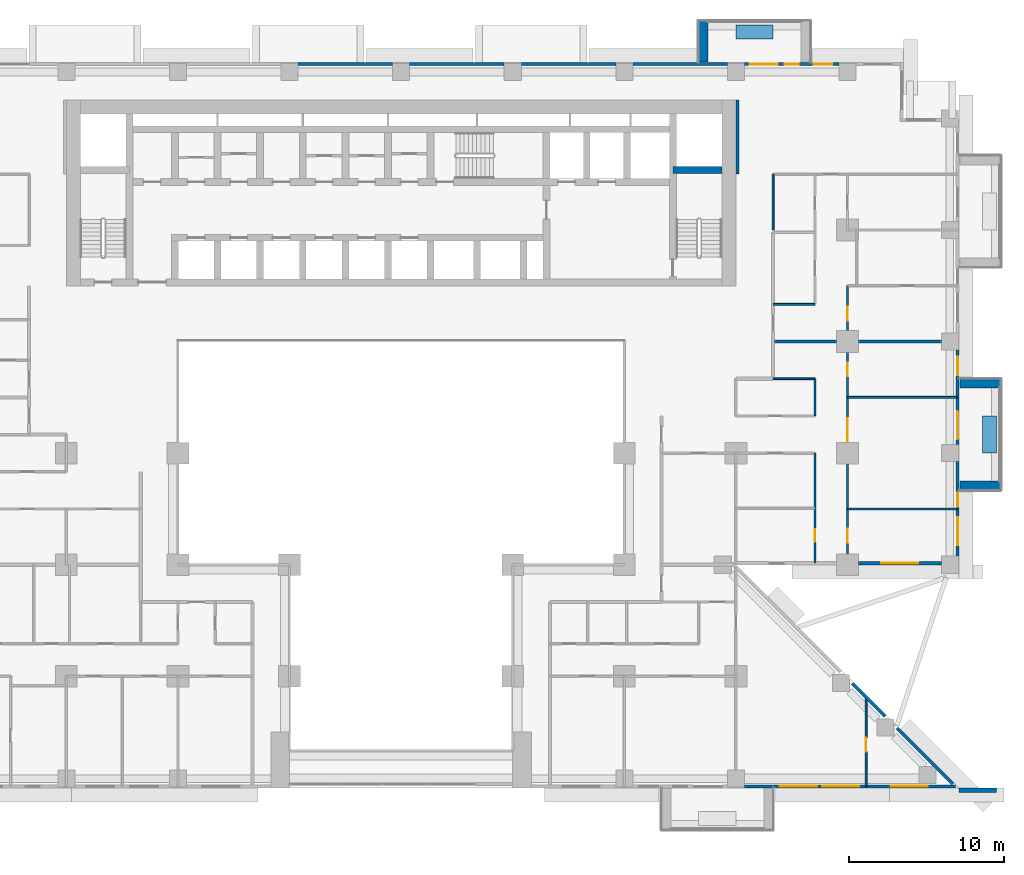
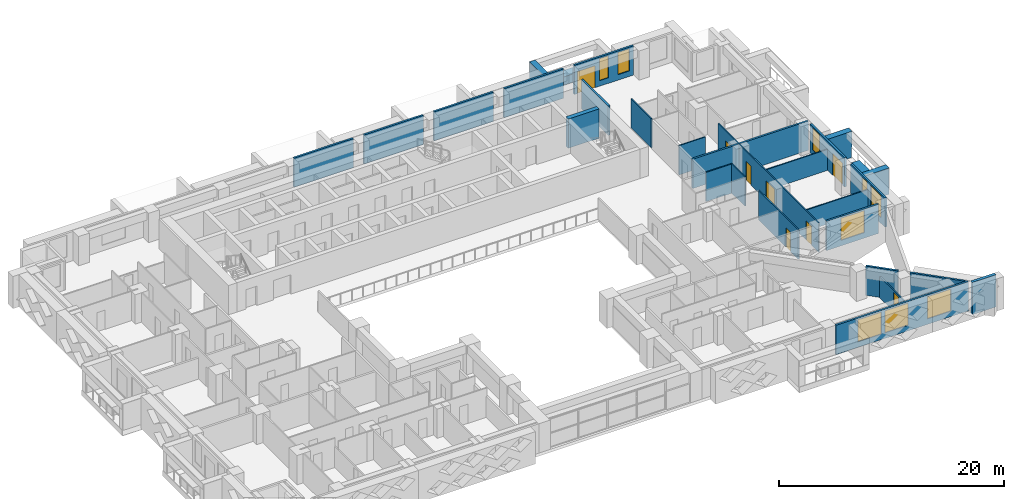
# One storey, part 11 of 16: 29 walls, 9 windows, 8 doors, 17 openings.
"""IFC4 building model written with IfcOpenShell, lengths in metres."""

from ifc_helpers import new_model, si_unit, direction, frame, frame_2d, origin, place, context, subcontext, project, spatial, rectangle, extrude, material, layer, layer_set, type_object, element, fill, save


model = new_model("IFC4")

# Units and contexts
model_context = context("Model", 3, precision=1e-05, world=origin(), true_north=direction((0.0, 1.0)))
body_context = subcontext(model_context, "Body", "Model", "MODEL_VIEW")
ifc_project = project(units=[si_unit("LENGTHUNIT", "METRE"), si_unit("AREAUNIT", "SQUARE_METRE"), si_unit("VOLUMEUNIT", "CUBIC_METRE"), si_unit("PLANEANGLEUNIT", "RADIAN"), si_unit("MASSUNIT", "GRAM", prefix="KILO")], contexts=[model_context])

# Site, building, storey
site_placement = place(None, origin())
site = spatial("IfcSite", under=ifc_project, at=site_placement, CompositionType="ELEMENT")
building_placement = place(site_placement, origin())
building = spatial("IfcBuilding", under=site, at=building_placement, Name="Saffron Iwan Residences", CompositionType="ELEMENT")
storey_placement = place(building_placement, frame((0.0, 0.0, 48.0)))
storey = spatial("IfcBuildingStorey", under=building, at=storey_placement, Name="L11", CompositionType="ELEMENT", Elevation=48.0)

# Walls
ifc_material_1 = material(Name="Concrete C50/60 white painted", Category="concrete")
ifc_layer_1 = layer(ifc_material_1, 0.60009765625)
ifc_layer_set_1 = layer_set([ifc_layer_1], Name="Concrete C50/60 white painted")
wall_type_1 = type_object("IfcWallType", Name="BALCONY FIN 600", PredefinedType="SOLIDWALL", material=ifc_layer_set_1)
for number, where, z_axis, x_axis, name in (
    (1, (86.449951171875, 53.10009765625, 0.0), (0.0, 0.0, 1.0), (1.0, 0.0, 0.0), "Balcony fin L11 F2-0a"),
    (2, (86.449951171875, 59.699951171875, 0.0), (0.0, 0.0, 1.0), (1.0, 0.0, 0.0), "Balcony fin L11 F2-0b"),
    (3, (69.89990234375, 80.449951171875, 0.0), (0.0, 0.0, 1.0), (0.0, 1.0, 0.0), "Balcony fin L11 F5-0b"),
):
    element("IfcWall", number, at=place(storey_placement, frame(where, z_axis=z_axis, x_axis=x_axis)), inside=storey, type_object=wall_type_1, Name=name, PredefinedType="SOLIDWALL", context=body_context, shape_type="SweptSolid", body=[
        extrude(rectangle(XDim=2.650146484375, YDim=0.60009765625, at=frame_2d((1.3251953125, 0.0))), origin(), (0.0, 0.0, 1.0), 2.85009765625),
    ])
ifc_material_2 = material(Name="Concrete C35/45 white painted", Category="concrete")
ifc_layer_2 = layer(ifc_material_2, 0.14990234375)
ifc_layer_set_2 = layer_set([ifc_layer_2], Name="Concrete C35/45 white painted")
wall_type_2 = type_object("IfcWallType", Name="BALCONY PLANTER", PredefinedType="SOLIDWALL", material=ifc_layer_set_2)
wall_1_placement = place(storey_placement, frame((88.375, 55.199951171875, 0.0), z_axis=(0.0, 0.0, 1.0), x_axis=(0.0, 1.0, 0.0)))
element("IfcWall", 4, at=wall_1_placement, inside=storey, type_object=wall_type_2, Name="PLANTER L11 F2-0", PredefinedType="SOLIDWALL", context=body_context, shape_type="SweptSolid", body=[
    extrude(rectangle(XDim=2.400146484375, YDim=0.89990234375, at=frame_2d((1.2001953125, 0.0))), origin(), (0.0, 0.0, 1.0), 0.89990234375),
])
wall_2_placement = place(storey_placement, frame((74.39990234375, 82.375, 0.0), z_axis=(0.0, 0.0, 1.0), x_axis=(-1.0, 0.0, 0.0)))
element("IfcWall", 5, at=wall_2_placement, inside=storey, type_object=wall_type_2, Name="PLANTER L11 F5-0", PredefinedType="SOLIDWALL", context=body_context, shape_type="SweptSolid", body=[
    extrude(rectangle(XDim=2.39990234375, YDim=0.89990234375, at=frame_2d((1.199951171875, 0.0))), origin(), (0.0, 0.0, 1.0), 0.89990234375),
])
ifc_material_3 = material(Name="Concrete C40/50", Category="concrete")
ifc_layer_3 = layer(ifc_material_3, 0.199951171875)
ifc_layer_set_3 = layer_set([ifc_layer_3], Name="Concrete C40/50")
wall_type_3 = type_object("IfcWallType", Name="EXTERNAL WALL 200", PredefinedType="SOLIDWALL", material=ifc_layer_set_3)
wall_3_placement = place(storey_placement, frame((85.995849609375, 33.862548828125, 0.0), z_axis=(0.0, 0.0, 1.0), x_axis=(-0.7070827891, 0.707130772459, 0.0)))
element("IfcWall", 6, at=wall_3_placement, inside=storey, type_object=wall_type_3, Name="External wall L11 F0.0", PredefinedType="SOLIDWALL", context=body_context, shape_type="SweptSolid", body=[
    extrude(rectangle(XDim=5.088134765625, YDim=0.199951171875, at=frame_2d((2.5439453125, 0.0))), origin(), (0.0, 0.0, 1.0), 3.179931640625),
])
wall_4_placement = place(storey_placement, frame((81.620361328125, 38.23828125, 0.0), z_axis=(0.0, 0.0, 1.0), x_axis=(-0.707106781187, 0.707106781187, 0.0)))
element("IfcWall", 7, at=wall_4_placement, inside=storey, type_object=wall_type_3, Name="External wall L11 F0.1", PredefinedType="SOLIDWALL", context=body_context, shape_type="SweptSolid", body=[
    extrude(rectangle(XDim=2.97265625, YDim=0.199951171875, at=frame_2d((1.486328125, 0.0))), origin(), (0.0, 0.0, 1.0), 3.179931640625),
])

# Wall, opening, window
wall_5_placement = place(storey_placement, frame((79.89990234375, 48.10009765625, 0.0), z_axis=(0.0, 0.0, 1.0), x_axis=(1.0, 0.0, 0.0)))
wall_5 = element("IfcWall", 8, at=wall_5_placement, inside=storey, type_object=wall_type_3, Name="External wall L11 F1.1", PredefinedType="SOLIDWALL", context=body_context, shape_type="SweptSolid", body=[
    extrude(rectangle(XDim=5.35009765625, YDim=0.199951171875, at=frame_2d((2.675048828125, 0.0))), origin(), (0.0, 0.0, 1.0), 3.179931640625),
])
opening_1_placement = place(wall_5_placement, frame((1.47509765625, 0.0, 0.60009765625)))
opening_1 = element("IfcOpeningElement", 9, at=opening_1_placement, cuts=wall_5, Name="Opening W1", PredefinedType="OPENING", context=body_context, shape_type="SweptSolid", body=[
    extrude(rectangle(XDim=2.39990234375, YDim=2.39990234375, at=frame_2d((1.199951171875, 1.199951171875))), frame((0.0, 0.10986328125, 0.0), z_axis=(0.0, -1.0, 0.0), x_axis=(1.0, 0.0, 0.0)), (0.0, 0.0, 1.0), 0.219970703125),
])
ifc_material_4 = material(Name="Clear glass, laminated double glazed", Category="glass")
window_type_1 = type_object("IfcWindowType", Name="WINDOW 2400 x 2400", PartitioningType="DOUBLE_PANEL_VERTICAL", PredefinedType="WINDOW", material=ifc_material_4)
window_1_placement = place(opening_1_placement, origin())
window_1 = element("IfcWindow", 10, at=window_1_placement, inside=storey, type_object=window_type_1, Name="Window L11 F1.0", OverallHeight=2.39990234375, OverallWidth=2.39990234375, PartitioningType="DOUBLE_PANEL_VERTICAL", PredefinedType="WINDOW", context=body_context, shape_type="SweptSolid", body=[
    extrude(rectangle(XDim=2.39990234375, YDim=2.39990234375, at=frame_2d((1.199951171875, 1.199951171875))), frame((0.0, 0.030029296875, 0.0), z_axis=(0.0, -1.0, 0.0), x_axis=(1.0, 0.0, 0.0)), (0.0, 0.0, 1.0), 0.06005859375),
])
fill(opening_1, window_1)

# Wall, openings, windows
wall_6_placement = place(storey_placement, frame((86.300048828125, 48.550048828125, 0.0), z_axis=(0.0, 0.0, 1.0), x_axis=(0.0, 1.0, 0.0)))
wall_6 = element("IfcWall", 11, at=wall_6_placement, inside=storey, type_object=wall_type_3, Name="External wall L11 F2.0", PredefinedType="SOLIDWALL", context=body_context, shape_type="SweptSolid", body=[
    extrude(rectangle(XDim=6.099853515625, YDim=0.199951171875, at=frame_2d((3.0498046875, 0.0))), origin(), (0.0, 0.0, 1.0), 3.179931640625),
])
opening_2_placement = place(wall_6_placement, frame((0.72509765625, 0.0, 0.60009765625)))
opening_2 = element("IfcOpeningElement", 12, at=opening_2_placement, cuts=wall_6, Name="Opening W8", PredefinedType="OPENING", context=body_context, shape_type="SweptSolid", body=[
    extrude(rectangle(XDim=1.800048828125, YDim=2.39990234375, at=frame_2d((0.89990234375, 1.199951171875))), frame((0.0, 0.10986328125, 0.0), z_axis=(0.0, -1.0, 0.0), x_axis=(1.0, 0.0, 0.0)), (0.0, 0.0, 1.0), 0.219970703125),
])
opening_3_placement = place(wall_6_placement, frame((3.199951171875, 0.0, 0.60009765625)))
opening_3 = element("IfcOpeningElement", 13, at=opening_3_placement, cuts=wall_6, Name="Opening W10", PredefinedType="OPENING", context=body_context, shape_type="SweptSolid", body=[
    extrude(rectangle(XDim=0.89990234375, YDim=2.39990234375, at=frame_2d((0.449951171875, 1.199951171875))), frame((0.0, 0.10986328125, 0.0), z_axis=(0.0, -1.0, 0.0), x_axis=(1.0, 0.0, 0.0)), (0.0, 0.0, 1.0), 0.219970703125),
])
window_type_2 = type_object("IfcWindowType", Name="WINDOW 1800 x 2400", PartitioningType="DOUBLE_PANEL_VERTICAL", PredefinedType="WINDOW", material=ifc_material_4)
window_2_placement = place(opening_2_placement, origin())
window_2 = element("IfcWindow", 14, at=window_2_placement, inside=storey, type_object=window_type_2, Name="Window L11 F2.0", OverallHeight=2.39990234375, OverallWidth=1.800048828125, PartitioningType="DOUBLE_PANEL_VERTICAL", PredefinedType="WINDOW", context=body_context, shape_type="SweptSolid", body=[
    extrude(rectangle(XDim=1.800048828125, YDim=2.39990234375, at=frame_2d((0.89990234375, 1.199951171875))), frame((0.0, 0.030029296875, 0.0), z_axis=(0.0, -1.0, 0.0), x_axis=(1.0, 0.0, 0.0)), (0.0, 0.0, 1.0), 0.06005859375),
])
fill(opening_2, window_2)
window_type_3 = type_object("IfcWindowType", Name="WINDOW 900 x 2400", PartitioningType="SINGLE_PANEL", PredefinedType="WINDOW", material=ifc_material_4)
window_3_placement = place(opening_3_placement, origin())
window_3 = element("IfcWindow", 15, at=window_3_placement, inside=storey, type_object=window_type_3, Name="Window L11 F2.1", OverallHeight=2.39990234375, OverallWidth=0.89990234375, PartitioningType="SINGLE_PANEL", PredefinedType="WINDOW", context=body_context, shape_type="SweptSolid", body=[
    extrude(rectangle(XDim=0.89990234375, YDim=2.39990234375, at=frame_2d((0.449951171875, 1.199951171875))), frame((0.0, 0.030029296875, 0.0), z_axis=(0.0, -1.0, 0.0), x_axis=(1.0, 0.0, 0.0)), (0.0, 0.0, 1.0), 0.06005859375),
])
fill(opening_3, window_3)

# Wall, openings, door, window
wall_7_placement = place(storey_placement, frame((86.300048828125, 55.75, 0.0), z_axis=(0.0, 0.0, 1.0), x_axis=(0.0, 1.0, 0.0)))
wall_7 = element("IfcWall", 16, at=wall_7_placement, inside=storey, type_object=wall_type_3, Name="External wall L11 F2.1", PredefinedType="SOLIDWALL", context=body_context, shape_type="SweptSolid", body=[
    extrude(rectangle(XDim=6.10009765625, YDim=0.199951171875, at=frame_2d((3.050048828125, 0.0))), origin(), (0.0, 0.0, 1.0), 3.179931640625),
])
opening_4_placement = place(wall_7_placement, frame((0.35009765625, 0.0, 0.0)))
opening_4 = element("IfcOpeningElement", 17, at=opening_4_placement, cuts=wall_7, Name="Opening BD1", PredefinedType="OPENING", context=body_context, shape_type="SweptSolid", body=[
    extrude(rectangle(XDim=1.800048828125, YDim=2.39990234375, at=frame_2d((0.89990234375, 1.199951171875))), frame((0.0, 0.10986328125, 0.0), z_axis=(0.0, -1.0, 0.0), x_axis=(1.0, 0.0, 0.0)), (0.0, 0.0, 1.0), 0.219970703125),
])
opening_5_placement = place(wall_7_placement, frame((4.47509765625, 0.0, 0.60009765625)))
opening_5 = element("IfcOpeningElement", 18, at=opening_5_placement, cuts=wall_7, Name="Opening W3", PredefinedType="OPENING", context=body_context, shape_type="SweptSolid", body=[
    extrude(rectangle(XDim=1.199951171875, YDim=2.39990234375, at=frame_2d((0.60009765625, 1.199951171875))), frame((0.0, 0.10986328125, 0.0), z_axis=(0.0, -1.0, 0.0), x_axis=(1.0, 0.0, 0.0)), (0.0, 0.0, 1.0), 0.219970703125),
])
door_type_1 = type_object("IfcDoorType", Name="BALCONY DOOR 1800 x 2400", OperationType="DOUBLE_DOOR_SLIDING", PredefinedType="DOOR", material=ifc_material_4)
door_1_placement = place(opening_4_placement, origin())
door_1 = element("IfcDoor", 19, at=door_1_placement, inside=storey, type_object=door_type_1, Name="Balcony door L11 F2.0", OperationType="DOUBLE_DOOR_SLIDING", OverallHeight=2.39990234375, OverallWidth=1.800048828125, PredefinedType="DOOR", context=body_context, shape_type="SweptSolid", body=[
    extrude(rectangle(XDim=1.800048828125, YDim=2.39990234375, at=frame_2d((0.89990234375, 1.199951171875))), frame((0.0, 0.02490234375, 0.0), z_axis=(0.0, -1.0, 0.0), x_axis=(1.0, 0.0, 0.0)), (0.0, 0.0, 1.0), 0.050048828125),
])
fill(opening_4, door_1)
window_type_4 = type_object("IfcWindowType", Name="WINDOW 1200 x 2400", PartitioningType="SINGLE_PANEL", PredefinedType="WINDOW", material=ifc_material_4)
window_4_placement = place(opening_5_placement, origin())
window_4 = element("IfcWindow", 20, at=window_4_placement, inside=storey, type_object=window_type_4, Name="Window L11 F2.1", OverallHeight=2.39990234375, OverallWidth=1.199951171875, PartitioningType="SINGLE_PANEL", PredefinedType="WINDOW", context=body_context, shape_type="SweptSolid", body=[
    extrude(rectangle(XDim=1.199951171875, YDim=2.39990234375, at=frame_2d((0.60009765625, 1.199951171875))), frame((0.0, 0.030029296875, 0.0), z_axis=(0.0, -1.0, 0.0), x_axis=(1.0, 0.0, 0.0)), (0.0, 0.0, 1.0), 0.06005859375),
])
fill(opening_5, window_4)

# Wall, openings, door, windows
wall_8_placement = place(storey_placement, frame((78.64990234375, 80.300048828125, 0.0), z_axis=(0.0, 0.0, 1.0), x_axis=(-1.0, 0.0, 0.0)))
wall_8 = element("IfcWall", 21, at=wall_8_placement, inside=storey, type_object=wall_type_3, Name="External wall L11 F5.1", PredefinedType="SOLIDWALL", context=body_context, shape_type="SweptSolid", body=[
    extrude(rectangle(XDim=6.099853515625, YDim=0.199951171875, at=frame_2d((3.0498046875, 0.0))), origin(), (0.0, 0.0, 1.0), 3.179931640625),
])
opening_6_placement = place(wall_8_placement, frame((3.949951171875, 0.0, 0.0)))
opening_6 = element("IfcOpeningElement", 22, at=opening_6_placement, cuts=wall_8, Name="Opening BD1", PredefinedType="OPENING", context=body_context, shape_type="SweptSolid", body=[
    extrude(rectangle(XDim=1.800048828125, YDim=2.39990234375, at=frame_2d((0.89990234375, 1.199951171875))), frame((0.0, 0.10986328125, 0.0), z_axis=(0.0, -1.0, 0.0), x_axis=(1.0, 0.0, 0.0)), (0.0, 0.0, 1.0), 0.219970703125),
])
opening_7_placement = place(wall_8_placement, frame((0.425048828125, 0.0, 0.60009765625)))
opening_7 = element("IfcOpeningElement", 23, at=opening_7_placement, cuts=wall_8, Name="Opening W3", PredefinedType="OPENING", context=body_context, shape_type="SweptSolid", body=[
    extrude(rectangle(XDim=1.199951171875, YDim=2.39990234375, at=frame_2d((0.60009765625, 1.199951171875))), frame((0.0, 0.10986328125, 0.0), z_axis=(0.0, -1.0, 0.0), x_axis=(1.0, 0.0, 0.0)), (0.0, 0.0, 1.0), 0.219970703125),
])
opening_8_placement = place(wall_8_placement, frame((2.60009765625, 0.0, 0.60009765625)))
opening_8 = element("IfcOpeningElement", 24, at=opening_8_placement, cuts=wall_8, Name="Opening W10", PredefinedType="OPENING", context=body_context, shape_type="SweptSolid", body=[
    extrude(rectangle(XDim=0.89990234375, YDim=2.39990234375, at=frame_2d((0.449951171875, 1.199951171875))), frame((0.0, 0.10986328125, 0.0), z_axis=(0.0, -1.0, 0.0), x_axis=(1.0, 0.0, 0.0)), (0.0, 0.0, 1.0), 0.219970703125),
])
door_2_placement = place(opening_6_placement, origin())
door_2 = element("IfcDoor", 25, at=door_2_placement, inside=storey, type_object=door_type_1, Name="Balcony door L11 F5.0", OperationType="DOUBLE_DOOR_SLIDING", OverallHeight=2.39990234375, OverallWidth=1.800048828125, PredefinedType="DOOR", context=body_context, shape_type="SweptSolid", body=[
    extrude(rectangle(XDim=1.800048828125, YDim=2.39990234375, at=frame_2d((0.89990234375, 1.199951171875))), frame((0.0, 0.02490234375, 0.0), z_axis=(0.0, -1.0, 0.0), x_axis=(1.0, 0.0, 0.0)), (0.0, 0.0, 1.0), 0.050048828125),
])
fill(opening_6, door_2)
window_5_placement = place(opening_7_placement, origin())
window_5 = element("IfcWindow", 26, at=window_5_placement, inside=storey, type_object=window_type_4, Name="Window L11 F5.1", OverallHeight=2.39990234375, OverallWidth=1.199951171875, PartitioningType="SINGLE_PANEL", PredefinedType="WINDOW", context=body_context, shape_type="SweptSolid", body=[
    extrude(rectangle(XDim=1.199951171875, YDim=2.39990234375, at=frame_2d((0.60009765625, 1.199951171875))), frame((0.0, 0.030029296875, 0.0), z_axis=(0.0, -1.0, 0.0), x_axis=(1.0, 0.0, 0.0)), (0.0, 0.0, 1.0), 0.06005859375),
])
fill(opening_7, window_5)
window_6_placement = place(opening_8_placement, origin())
window_6 = element("IfcWindow", 27, at=window_6_placement, inside=storey, type_object=window_type_3, Name="Window L11 F5.2", OverallHeight=2.39990234375, OverallWidth=0.89990234375, PartitioningType="SINGLE_PANEL", PredefinedType="WINDOW", context=body_context, shape_type="SweptSolid", body=[
    extrude(rectangle(XDim=0.89990234375, YDim=2.39990234375, at=frame_2d((0.449951171875, 1.199951171875))), frame((0.0, 0.030029296875, 0.0), z_axis=(0.0, -1.0, 0.0), x_axis=(1.0, 0.0, 0.0)), (0.0, 0.0, 1.0), 0.06005859375),
])
fill(opening_8, window_6)

# Walls
wall_9_placement = place(storey_placement, frame((71.449951171875, 80.300048828125, 0.0), z_axis=(0.0, 0.0, 1.0), x_axis=(-1.0, 0.0, 0.0)))
element("IfcWall", 28, at=wall_9_placement, inside=storey, type_object=wall_type_3, Name="External wall L11 F5.2", PredefinedType="SOLIDWALL", context=body_context, shape_type="SweptSolid", body=[
    extrude(rectangle(XDim=6.099853515625, YDim=0.199951171875, at=frame_2d((3.0498046875, 0.0))), origin(), (0.0, 0.0, 1.0), 3.179931640625),
])
for number, where, z_axis, x_axis, name in (
    (29, (64.25, 80.300048828125, 0.0), (0.0, 0.0, 1.0), (-1.0, 0.0, 0.0), "External wall L11 F5.3"),
    (30, (57.050048828125, 80.300048828125, 0.0), (0.0, 0.0, 1.0), (-1.0, 0.0, 0.0), "External wall L11 F5.4"),
    (31, (49.85009765625, 80.300048828125, 0.0), (0.0, 0.0, 1.0), (-1.0, 0.0, 0.0), "External wall L11 F5.5"),
):
    element("IfcWall", number, at=place(storey_placement, frame(where, z_axis=z_axis, x_axis=x_axis)), inside=storey, type_object=wall_type_3, Name=name, PredefinedType="SOLIDWALL", context=body_context, shape_type="SweptSolid", body=[
        extrude(rectangle(XDim=6.10009765625, YDim=0.199951171875, at=frame_2d((3.050048828125, 0.0))), origin(), (0.0, 0.0, 1.0), 3.179931640625),
    ])

# Wall, openings, windows
wall_10_placement = place(storey_placement, frame((72.550048828125, 33.699951171875, 0.0), z_axis=(0.0, 0.0, 1.0), x_axis=(1.0, 0.0, 0.0)))
wall_10 = element("IfcWall", 32, at=wall_10_placement, inside=storey, type_object=wall_type_3, Name="External wall L11 F11.6", PredefinedType="SOLIDWALL", context=body_context, shape_type="SweptSolid", body=[
    extrude(rectangle(XDim=13.608642578125, YDim=0.199951171875, at=frame_2d((6.80419921875, 0.0))), origin(), (0.0, 0.0, 1.0), 3.179931640625),
])
opening_9_placement = place(wall_10_placement, frame((2.283203125, 0.0, 0.60009765625)))
opening_9 = element("IfcOpeningElement", 33, at=opening_9_placement, cuts=wall_10, Name="Opening W1", PredefinedType="OPENING", context=body_context, shape_type="SweptSolid", body=[
    extrude(rectangle(XDim=2.39990234375, YDim=2.39990234375, at=frame_2d((1.199951171875, 1.199951171875))), frame((0.0, 0.10986328125, 0.0), z_axis=(0.0, -1.0, 0.0), x_axis=(1.0, 0.0, 0.0)), (0.0, 0.0, 1.0), 0.219970703125),
])
opening_10_placement = place(wall_10_placement, frame((5.0166015625, 0.0, 0.60009765625)))
opening_10 = element("IfcOpeningElement", 34, at=opening_10_placement, cuts=wall_10, Name="Opening W1", PredefinedType="OPENING", context=body_context, shape_type="SweptSolid", body=[
    extrude(rectangle(XDim=2.39990234375, YDim=2.39990234375, at=frame_2d((1.199951171875, 1.199951171875))), frame((0.0, 0.10986328125, 0.0), z_axis=(0.0, -1.0, 0.0), x_axis=(1.0, 0.0, 0.0)), (0.0, 0.0, 1.0), 0.219970703125),
])
opening_11_placement = place(wall_10_placement, frame((9.42919921875, 0.0, 0.60009765625)))
opening_11 = element("IfcOpeningElement", 35, at=opening_11_placement, cuts=wall_10, Name="Opening W1", PredefinedType="OPENING", context=body_context, shape_type="SweptSolid", body=[
    extrude(rectangle(XDim=2.39990234375, YDim=2.39990234375, at=frame_2d((1.199951171875, 1.199951171875))), frame((0.0, 0.10986328125, 0.0), z_axis=(0.0, -1.0, 0.0), x_axis=(1.0, 0.0, 0.0)), (0.0, 0.0, 1.0), 0.219970703125),
])
window_7_placement = place(opening_9_placement, origin())
window_7 = element("IfcWindow", 36, at=window_7_placement, inside=storey, type_object=window_type_1, Name="Window L11 F11.0", OverallHeight=2.39990234375, OverallWidth=2.39990234375, PartitioningType="DOUBLE_PANEL_VERTICAL", PredefinedType="WINDOW", context=body_context, shape_type="SweptSolid", body=[
    extrude(rectangle(XDim=2.39990234375, YDim=2.39990234375, at=frame_2d((1.199951171875, 1.199951171875))), frame((0.0, 0.030029296875, 0.0), z_axis=(0.0, -1.0, 0.0), x_axis=(1.0, 0.0, 0.0)), (0.0, 0.0, 1.0), 0.06005859375),
])
fill(opening_9, window_7)
window_8_placement = place(opening_10_placement, origin())
window_8 = element("IfcWindow", 37, at=window_8_placement, inside=storey, type_object=window_type_1, Name="Window L11 F11.1", OverallHeight=2.39990234375, OverallWidth=2.39990234375, PartitioningType="DOUBLE_PANEL_VERTICAL", PredefinedType="WINDOW", context=body_context, shape_type="SweptSolid", body=[
    extrude(rectangle(XDim=2.39990234375, YDim=2.39990234375, at=frame_2d((1.199951171875, 1.199951171875))), frame((0.0, 0.030029296875, 0.0), z_axis=(0.0, -1.0, 0.0), x_axis=(1.0, 0.0, 0.0)), (0.0, 0.0, 1.0), 0.06005859375),
])
fill(opening_10, window_8)
window_9_placement = place(opening_11_placement, origin())
window_9 = element("IfcWindow", 38, at=window_9_placement, inside=storey, type_object=window_type_1, Name="Window L11 F11.2", OverallHeight=2.39990234375, OverallWidth=2.39990234375, PartitioningType="DOUBLE_PANEL_VERTICAL", PredefinedType="WINDOW", context=body_context, shape_type="SweptSolid", body=[
    extrude(rectangle(XDim=2.39990234375, YDim=2.39990234375, at=frame_2d((1.199951171875, 1.199951171875))), frame((0.0, 0.030029296875, 0.0), z_axis=(0.0, -1.0, 0.0), x_axis=(1.0, 0.0, 0.0)), (0.0, 0.0, 1.0), 0.06005859375),
])
fill(opening_11, window_9)

# Walls
ifc_material_5 = material(Name="Fire-rated gypsum board wall")
ifc_layer_4 = layer(ifc_material_5, 0.199951171875)
ifc_layer_set_4 = layer_set([ifc_layer_4], Name="Fire-rated gypsum board wall")
wall_type_4 = type_object("IfcWallType", Name="Flat demising wall 200", PredefinedType="SOLIDWALL", material=ifc_layer_set_4)
wall_11_placement = place(storey_placement, frame((74.39990234375, 62.39990234375, 0.0), z_axis=(0.0, 0.0, 1.0), x_axis=(1.0, 0.0, 0.0)))
element("IfcWall", 39, at=wall_11_placement, inside=storey, type_object=wall_type_4, Name="W-L11-DEMISE-h62.4-74.4", PredefinedType="SOLIDWALL", context=body_context, shape_type="SweptSolid", body=[
    extrude(rectangle(XDim=11.875, YDim=0.199951171875, at=frame_2d((5.9375, 0.0))), origin(), (0.0, 0.0, 1.0), 3.179931640625),
])
ifc_material_6 = material(Name="Gypsum board partition")
ifc_layer_5 = layer(ifc_material_6, 0.1201171875)
ifc_layer_set_5 = layer_set([ifc_layer_5], Name="Gypsum board partition")
wall_type_5 = type_object("IfcWallType", Name="Flat partition 120", PredefinedType="PARTITIONING", material=ifc_layer_set_5)
for number, where, z_axis, x_axis, name in (
    (40, (79.199951171875, 51.60009765625, 0.0), (0.0, 0.0, 1.0), (1.0, 0.0, 0.0), "W-L11-PART-h51.6-79.2"),
    (41, (79.199951171875, 58.800048828125, 0.0), (0.0, 0.0, 1.0), (1.0, 0.0, 0.0), "W-L11-PART-h58.8-79.2"),
):
    element("IfcWall", number, at=place(storey_placement, frame(where, z_axis=z_axis, x_axis=x_axis)), inside=storey, type_object=wall_type_5, Name=name, PredefinedType="PARTITIONING", context=body_context, shape_type="SweptSolid", body=[
        extrude(rectangle(XDim=7.074951171875, YDim=0.1201171875, at=frame_2d((3.53759765625, 0.0))), origin(), (0.0, 0.0, 1.0), 2.280029296875),
    ])
for number, where, z_axis, x_axis, name in (
    (42, (74.39990234375, 60.0, 0.0), (0.0, 0.0, 1.0), (1.0, 0.0, 0.0), "W-L11-PART-h60-74.4"),
    (43, (74.39990234375, 64.800048828125, 0.0), (0.0, 0.0, 1.0), (1.0, 0.0, 0.0), "W-L11-PART-h64.8-74.4"),
):
    element("IfcWall", number, at=place(storey_placement, frame(where, z_axis=z_axis, x_axis=x_axis)), inside=storey, type_object=wall_type_5, Name=name, PredefinedType="PARTITIONING", context=body_context, shape_type="SweptSolid", body=[
        extrude(rectangle(XDim=2.7001953125, YDim=0.1201171875, at=frame_2d((1.35009765625, 0.0))), origin(), (0.0, 0.0, 1.0), 3.179931640625),
    ])
wall_12_placement = place(storey_placement, frame((74.39990234375, 69.6201171875, 0.0), z_axis=(0.0, 0.0, 1.0), x_axis=(0.0, 1.0, 0.0)))
element("IfcWall", 44, at=wall_12_placement, inside=storey, type_object=wall_type_5, Name="W-L11-PART-v74.4-69.62", PredefinedType="PARTITIONING", context=body_context, shape_type="SweptSolid", body=[
    extrude(rectangle(XDim=3.579833984375, YDim=0.1201171875, at=frame_2d((1.7900390625, 0.0))), origin(), (0.0, 0.0, 1.0), 3.179931640625),
])

# Wall, opening, door
wall_13_placement = place(storey_placement, frame((77.10009765625, 48.125, 0.0), z_axis=(0.0, 0.0, 1.0), x_axis=(0.0, 1.0, 0.0)))
wall_13 = element("IfcWall", 45, at=wall_13_placement, inside=storey, type_object=wall_type_5, Name="W-L11-PART-v77.1-48.125", PredefinedType="PARTITIONING", context=body_context, shape_type="SweptSolid", body=[
    extrude(rectangle(XDim=7.074951171875, YDim=0.1201171875, at=frame_2d((3.53759765625, 0.0))), origin(), (0.0, 0.0, 1.0), 3.179931640625),
])
opening_12_placement = place(wall_13_placement, frame((1.362548828125, 0.0, 0.0)))
opening_12 = element("IfcOpeningElement", 46, at=opening_12_placement, cuts=wall_13, Name="Opening FD3", PredefinedType="OPENING", context=body_context, shape_type="SweptSolid", body=[
    extrude(rectangle(XDim=0.800048828125, YDim=2.10009765625, at=frame_2d((0.39990234375, 1.050048828125))), frame((0.0, 0.070068359375, 0.0), z_axis=(0.0, -1.0, 0.0), x_axis=(1.0, 0.0, 0.0)), (0.0, 0.0, 1.0), 0.14013671875),
])
ifc_material_7 = material(Name="Timber door", Category="wood")
door_type_2 = type_object("IfcDoorType", Name="Bathroom door 800", OperationType="NOTDEFINED", PredefinedType="DOOR", material=ifc_material_7)
door_3_placement = place(opening_12_placement, origin())
door_3 = element("IfcDoor", 47, at=door_3_placement, inside=storey, type_object=door_type_2, Name="Door L11-023", OperationType="SINGLE_SWING_RIGHT", OverallHeight=2.10009765625, OverallWidth=0.800048828125, PredefinedType="DOOR", context=body_context, shape_type="SweptSolid", body=[
    extrude(rectangle(XDim=0.800048828125, YDim=2.10009765625, at=frame_2d((0.39990234375, 1.050048828125))), frame((0.0, 0.02490234375, 0.0), z_axis=(0.0, -1.0, 0.0), x_axis=(1.0, 0.0, 0.0)), (0.0, 0.0, 1.0), 0.050048828125),
])
fill(opening_12, door_3)

# Wall
wall_14_placement = place(storey_placement, frame((77.10009765625, 57.60009765625, 0.0), z_axis=(0.0, 0.0, 1.0), x_axis=(0.0, 1.0, 0.0)))
element("IfcWall", 48, at=wall_14_placement, inside=storey, type_object=wall_type_5, Name="W-L11-PART-v77.1-57.6", PredefinedType="PARTITIONING", context=body_context, shape_type="SweptSolid", body=[
    extrude(rectangle(XDim=2.39990234375, YDim=0.1201171875, at=frame_2d((1.199951171875, 0.0))), origin(), (0.0, 0.0, 1.0), 3.179931640625),
])

# Wall, openings, doors
wall_15_placement = place(storey_placement, frame((79.199951171875, 48.125, 0.0), z_axis=(0.0, 0.0, 1.0), x_axis=(0.0, 1.0, 0.0)))
wall_15 = element("IfcWall", 49, at=wall_15_placement, inside=storey, type_object=wall_type_5, Name="W-L11-PART-v79.2-48.125", PredefinedType="PARTITIONING", context=body_context, shape_type="SweptSolid", body=[
    extrude(rectangle(XDim=17.875, YDim=0.1201171875, at=frame_2d((8.9375, 0.0))), origin(), (0.0, 0.0, 1.0), 3.179931640625),
])
opening_13_placement = place(wall_15_placement, frame((1.28759765625, 0.0, 0.0)))
opening_13 = element("IfcOpeningElement", 50, at=opening_13_placement, cuts=wall_15, Name="Opening FD2", PredefinedType="OPENING", context=body_context, shape_type="SweptSolid", body=[
    extrude(rectangle(XDim=0.89990234375, YDim=2.10009765625, at=frame_2d((0.449951171875, 1.050048828125))), frame((0.0, 0.070068359375, 0.0), z_axis=(0.0, -1.0, 0.0), x_axis=(1.0, 0.0, 0.0)), (0.0, 0.0, 1.0), 0.14013671875),
])
opening_14_placement = place(wall_15_placement, frame((7.824951171875, 0.0, 0.0)))
opening_14 = element("IfcOpeningElement", 51, at=opening_14_placement, cuts=wall_15, Name="Opening FD4", PredefinedType="OPENING", context=body_context, shape_type="SweptSolid", body=[
    extrude(rectangle(XDim=1.5, YDim=2.10009765625, at=frame_2d((0.75, 1.050048828125))), frame((0.0, 0.070068359375, 0.0), z_axis=(0.0, -1.0, 0.0), x_axis=(1.0, 0.0, 0.0)), (0.0, 0.0, 1.0), 0.14013671875),
])
opening_15_placement = place(wall_15_placement, frame((12.02490234375, 0.0, 0.0)))
opening_15 = element("IfcOpeningElement", 52, at=opening_15_placement, cuts=wall_15, Name="Opening FD2", PredefinedType="OPENING", context=body_context, shape_type="SweptSolid", body=[
    extrude(rectangle(XDim=0.89990234375, YDim=2.10009765625, at=frame_2d((0.449951171875, 1.050048828125))), frame((0.0, 0.070068359375, 0.0), z_axis=(0.0, -1.0, 0.0), x_axis=(1.0, 0.0, 0.0)), (0.0, 0.0, 1.0), 0.14013671875),
])
opening_16_placement = place(wall_15_placement, frame((15.625, 0.0, 0.0)))
opening_16 = element("IfcOpeningElement", 53, at=opening_16_placement, cuts=wall_15, Name="Opening FD2", PredefinedType="OPENING", context=body_context, shape_type="SweptSolid", body=[
    extrude(rectangle(XDim=0.89990234375, YDim=2.10009765625, at=frame_2d((0.449951171875, 1.050048828125))), frame((0.0, 0.070068359375, 0.0), z_axis=(0.0, -1.0, 0.0), x_axis=(1.0, 0.0, 0.0)), (0.0, 0.0, 1.0), 0.14013671875),
])
door_type_3 = type_object("IfcDoorType", Name="Double door 1500", OperationType="NOTDEFINED", PredefinedType="DOOR", material=ifc_material_7)
door_4_placement = place(opening_14_placement, origin())
door_4 = element("IfcDoor", 54, at=door_4_placement, inside=storey, type_object=door_type_3, Name="Door L11-021", OperationType="SINGLE_SWING_RIGHT", OverallHeight=2.10009765625, OverallWidth=1.5, PredefinedType="DOOR", context=body_context, shape_type="SweptSolid", body=[
    extrude(rectangle(XDim=1.5, YDim=2.10009765625, at=frame_2d((0.75, 1.050048828125))), frame((0.0, 0.02490234375, 0.0), z_axis=(0.0, -1.0, 0.0), x_axis=(1.0, 0.0, 0.0)), (0.0, 0.0, 1.0), 0.050048828125),
])
fill(opening_14, door_4)
door_type_4 = type_object("IfcDoorType", Name="Flat door 900", OperationType="NOTDEFINED", PredefinedType="DOOR", material=ifc_material_7)
door_5_placement = place(opening_13_placement, origin())
door_5 = element("IfcDoor", 55, at=door_5_placement, inside=storey, type_object=door_type_4, Name="Door L11-020", OperationType="SINGLE_SWING_RIGHT", OverallHeight=2.10009765625, OverallWidth=0.89990234375, PredefinedType="DOOR", context=body_context, shape_type="SweptSolid", body=[
    extrude(rectangle(XDim=0.89990234375, YDim=2.10009765625, at=frame_2d((0.449951171875, 1.050048828125))), frame((0.0, 0.02490234375, 0.0), z_axis=(0.0, -1.0, 0.0), x_axis=(1.0, 0.0, 0.0)), (0.0, 0.0, 1.0), 0.050048828125),
])
fill(opening_13, door_5)
door_6_placement = place(opening_15_placement, origin())
door_6 = element("IfcDoor", 56, at=door_6_placement, inside=storey, type_object=door_type_4, Name="Door L11-022", OperationType="SINGLE_SWING_LEFT", OverallHeight=2.10009765625, OverallWidth=0.89990234375, PredefinedType="DOOR", context=body_context, shape_type="SweptSolid", body=[
    extrude(rectangle(XDim=0.89990234375, YDim=2.10009765625, at=frame_2d((0.449951171875, 1.050048828125))), frame((0.0, 0.02490234375, 0.0), z_axis=(0.0, -1.0, 0.0), x_axis=(1.0, 0.0, 0.0)), (0.0, 0.0, 1.0), 0.050048828125),
])
fill(opening_15, door_6)
door_7_placement = place(opening_16_placement, origin())
door_7 = element("IfcDoor", 57, at=door_7_placement, inside=storey, type_object=door_type_4, Name="Door L11-036", OperationType="SINGLE_SWING_LEFT", OverallHeight=2.10009765625, OverallWidth=0.89990234375, PredefinedType="DOOR", context=body_context, shape_type="SweptSolid", body=[
    extrude(rectangle(XDim=0.89990234375, YDim=2.10009765625, at=frame_2d((0.449951171875, 1.050048828125))), frame((0.0, 0.02490234375, 0.0), z_axis=(0.0, -1.0, 0.0), x_axis=(1.0, 0.0, 0.0)), (0.0, 0.0, 1.0), 0.050048828125),
])
fill(opening_16, door_7)

# Wall, opening, door
wall_16_placement = place(storey_placement, frame((80.39990234375, 33.72509765625, 0.0), z_axis=(0.0, 0.0, 1.0), x_axis=(0.0, 1.0, 0.0)))
wall_16 = element("IfcWall", 58, at=wall_16_placement, inside=storey, type_object=wall_type_5, Name="W-L11-PART-v80.4-33.725", PredefinedType="PARTITIONING", context=body_context, shape_type="SweptSolid", body=[
    extrude(rectangle(XDim=5.697998046875, YDim=0.1201171875, at=frame_2d((2.84912109375, 0.0))), origin(), (0.0, 0.0, 1.0), 2.280029296875),
])
opening_17_placement = place(wall_16_placement, frame((2.198974609375, 0.0, 0.0)))
opening_17 = element("IfcOpeningElement", 59, at=opening_17_placement, cuts=wall_16, Name="Opening FD2", PredefinedType="OPENING", context=body_context, shape_type="SweptSolid", body=[
    extrude(rectangle(XDim=0.89990234375, YDim=2.10009765625, at=frame_2d((0.449951171875, 1.050048828125))), frame((0.0, 0.070068359375, 0.0), z_axis=(0.0, -1.0, 0.0), x_axis=(1.0, 0.0, 0.0)), (0.0, 0.0, 1.0), 0.14013671875),
])
door_8_placement = place(opening_17_placement, origin())
door_8 = element("IfcDoor", 60, at=door_8_placement, inside=storey, type_object=door_type_4, Name="Door L11-050", OperationType="SINGLE_SWING_LEFT", OverallHeight=2.10009765625, OverallWidth=0.89990234375, PredefinedType="DOOR", context=body_context, shape_type="SweptSolid", body=[
    extrude(rectangle(XDim=0.89990234375, YDim=2.10009765625, at=frame_2d((0.449951171875, 1.050048828125))), frame((0.0, 0.02490234375, 0.0), z_axis=(0.0, -1.0, 0.0), x_axis=(1.0, 0.0, 0.0)), (0.0, 0.0, 1.0), 0.050048828125),
])
fill(opening_17, door_8)

# Walls
ifc_layer_6 = layer(ifc_material_5, 0.199951171875)
ifc_layer_set_6 = layer_set([ifc_layer_6], Name="Fire-rated gypsum board wall")
wall_type_6 = type_object("IfcWallType", Name="Gallery wall 200", PredefinedType="SOLIDWALL", material=ifc_layer_set_6)
wall_17_placement = place(storey_placement, frame((72.10009765625, 73.199951171875, 0.0), z_axis=(0.0, 0.0, 1.0), x_axis=(0.0, 1.0, 0.0)))
element("IfcWall", 61, at=wall_17_placement, inside=storey, type_object=wall_type_6, Name="W-L11-CORR-v72-73.2", PredefinedType="SOLIDWALL", context=body_context, shape_type="SweptSolid", body=[
    extrude(rectangle(XDim=4.800048828125, YDim=0.199951171875, at=frame_2d((2.39990234375, 0.0))), origin(), (0.0, 0.0, 1.0), 3.179931640625),
])
ifc_layer_7 = layer(ifc_material_1, 0.300048828125)
ifc_layer_set_7 = layer_set([ifc_layer_7], Name="Concrete C50/60 white painted")
wall_type_7 = type_object("IfcWallType", Name="PROW BLADE 300", PredefinedType="SOLIDWALL", material=ifc_layer_set_7)
wall_18_placement = place(storey_placement, frame((86.39990234375, 33.449951171875, -0.320068359375), z_axis=(0.0, 0.0, 1.0), x_axis=(1.0, 0.0, 0.0)))
element("IfcWall", 62, at=wall_18_placement, inside=storey, type_object=wall_type_7, Name="Prow blade L11", PredefinedType="SOLIDWALL", context=body_context, shape_type="SweptSolid", body=[
    extrude(rectangle(XDim=2.400146484375, YDim=0.300048828125, at=frame_2d((1.2001953125, 0.0))), origin(), (0.0, 0.0, 1.0), 3.5),
])
ifc_material_8 = material(Name="Concrete C60/75", Category="concrete")
ifc_layer_8 = layer(ifc_material_8, 0.449951171875)
ifc_layer_set_8 = layer_set([ifc_layer_8], Name="Concrete C60/75")
wall_type_8 = type_object("IfcWallType", Name="WALL CORE 450 C60/75 3180 HIGH", PredefinedType="SHEAR", material=ifc_layer_set_8)
wall_19_placement = place(storey_placement, frame((67.925048828125, 73.47509765625, 0.0), z_axis=(0.0, 0.0, 1.0), x_axis=(1.0, 0.0, 0.0)))
element("IfcWall", 63, at=wall_19_placement, inside=storey, type_object=wall_type_8, Name="Core wall", PredefinedType="SHEAR", context=body_context, shape_type="SweptSolid", body=[
    extrude(rectangle(XDim=3.175048828125, YDim=0.449951171875, at=frame_2d((1.58740234375, 0.0))), origin(), (0.0, 0.0, 1.0), 3.179931640625),
])

save(model, "model.ifc")
